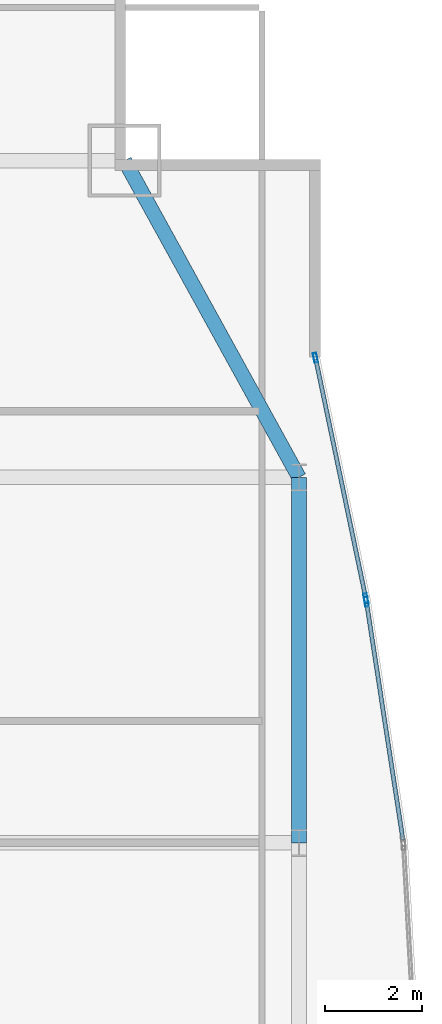
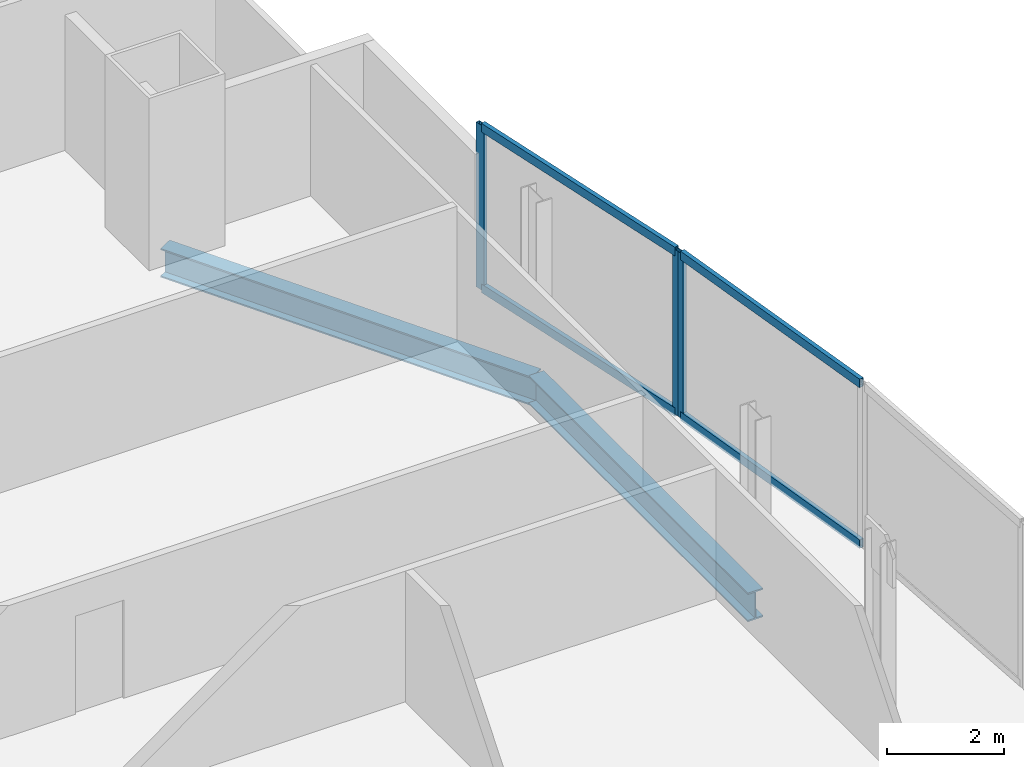
# One storey, part 23 of 33: 7 members, 2 beams, 2 elements without a shape of their own.
"""IFC4 building model written with IfcOpenShell, lengths in metres."""

from ifc_helpers import new_model, si_unit, direction, frame, origin, origin_2d, place, context, subcontext, project, spatial, hollow_rectangle, i_section, extrude, material, material_profile, profile_set, type_object, element, aggregate, save


model = new_model("IFC4")

# Units and contexts
model_context = context("Model", 3, precision=1e-05, world=origin(), true_north=direction((0.0, 1.0)))
body_context = subcontext(model_context, "Body", "Model", "MODEL_VIEW")
ifc_project = project(units=[si_unit("LENGTHUNIT", "METRE"), si_unit("AREAUNIT", "SQUARE_METRE"), si_unit("VOLUMEUNIT", "CUBIC_METRE"), si_unit("PLANEANGLEUNIT", "RADIAN"), si_unit("MASSUNIT", "GRAM", prefix="KILO")], contexts=[model_context])

# Site, building, storey
site_placement = place(None, origin())
site = spatial("IfcSite", under=ifc_project, at=site_placement, CompositionType="ELEMENT")
building_placement = place(site_placement, origin())
building = spatial("IfcBuilding", under=site, at=building_placement, Name="Khoronbel Lancet Exchange", CompositionType="ELEMENT")
storey_placement = place(building_placement, frame((0.0, 0.0, 114.60009765625)))
storey = spatial("IfcBuildingStorey", under=building, at=storey_placement, Name="L27", CompositionType="ELEMENT", Elevation=114.60009765625)

# Beams
ifc_material_1 = material(Name="Steel S355", Category="steel")
ifc_material_profile_1 = material_profile(ifc_material_1, i_section(OverallWidth=0.300048828125, OverallDepth=0.60009765625, WebThickness=0.015380859375, FlangeThickness=0.030029296875, at=origin_2d()), Name="HEB 600")
ifc_profile_set_1 = profile_set([ifc_material_profile_1], Name="Steel S355")
beam_type = type_object("IfcBeamType", Name="BM-BSP2", PredefinedType="SPANDREL", material=ifc_profile_set_1)
beam_1_placement = place(storey_placement, frame((69.6298828125, 35.699951171875, -0.460205078125), z_axis=(0.0, 1.0, 0.0), x_axis=(-1.0, 0.0, 0.0)))
element("IfcBeam", 1, at=beam_1_placement, inside=storey, type_object=beam_type, Name="Level L27 perimeter spandrel beam SP14", PredefinedType="SPANDREL", context=body_context, shape_type="SweptSolid", body=[
    extrude(i_section(OverallWidth=0.300048828125, OverallDepth=0.60009765625, WebThickness=0.015380859375, FlangeThickness=0.030029296875, at=origin_2d()), origin(), (0.0, 0.0, 1.0), 7.5),
])
beam_2_placement = place(storey_placement, frame((69.6298828125, 43.199951171875, -0.460205078125), z_axis=(-0.482418808117, 0.875940690672, 0.0), x_axis=(-0.875940690672, -0.482418808117, 0.0)))
element("IfcBeam", 2, at=beam_2_placement, inside=storey, type_object=beam_type, Name="Level L27 perimeter spandrel beam SP15", PredefinedType="SPANDREL", context=body_context, shape_type="SweptSolid", body=[
    extrude(i_section(OverallWidth=0.300048828125, OverallDepth=0.60009765625, WebThickness=0.015380859375, FlangeThickness=0.030029296875, at=origin_2d()), origin(), (0.0, 0.0, 1.0), 7.420654296875),
])

# Curtain wall, members
ifc_material_2 = material(Name="Low-E Solar Control Insulating Glass", Category="glass")
curtain_wall_type = type_object("IfcCurtainWallType", Name="CW-4", PredefinedType="NOTDEFINED", material=ifc_material_2)
curtain_wall_1_placement = place(storey_placement, origin())
curtain_wall_1 = element("IfcCurtainWall", 3, at=curtain_wall_1_placement, inside=storey, type_object=curtain_wall_type, Name="Unitised curtain wall CW-L27-E17", PredefinedType="NOTDEFINED")
ifc_material_3 = material(Name="Bronze-Anodised Aluminium 6063-T6", Category="aluminium")
ifc_material_profile_2 = material_profile(ifc_material_3, hollow_rectangle(XDim=0.074951171875, YDim=0.199951171875, WallThickness=0.0048828125, at=origin_2d()), Name="ALU MULLION 75x200")
ifc_profile_set_2 = profile_set([ifc_material_profile_2], Name="Bronze-Anodised Aluminium 6063-T6")
member_type_1 = type_object("IfcMemberType", Name="MEM-CWM2", PredefinedType="MULLION", material=ifc_profile_set_2)
member_1_placement = place(storey_placement, frame((69.9677734375, 45.654052734375, 0.0), z_axis=(0.0, 0.0, 1.0), x_axis=(0.978780231613, 0.204912806344, 0.0)))
member_1 = element("IfcMember", 4, at=member_1_placement, type_object=member_type_1, Name="CW4 mullion 1", PredefinedType="MULLION", context=body_context, shape_type="SweptSolid", body=[
    extrude(hollow_rectangle(XDim=0.074951171875, YDim=0.199951171875, WallThickness=0.0048828125, at=origin_2d()), origin(), (0.0, 0.0, 1.0), 3.43994140625),
])
member_2_placement = place(storey_placement, frame((71.00048828125, 40.720703125, 0.0), z_axis=(0.0, 0.0, 1.0), x_axis=(0.978780231613, 0.204912806344, 0.0)))
member_2 = element("IfcMember", 5, at=member_2_placement, type_object=member_type_1, Name="CW4 mullion 2", PredefinedType="MULLION", context=body_context, shape_type="SweptSolid", body=[
    extrude(hollow_rectangle(XDim=0.074951171875, YDim=0.199951171875, WallThickness=0.0048828125, at=origin_2d()), origin(), (0.0, 0.0, 1.0), 3.43994140625),
])

# Curtain wall, member
curtain_wall_2_placement = place(storey_placement, origin())
curtain_wall_2 = element("IfcCurtainWall", 6, at=curtain_wall_2_placement, inside=storey, type_object=curtain_wall_type, Name="Unitised curtain wall CW-L27-E18", PredefinedType="NOTDEFINED")
member_3_placement = place(storey_placement, frame((71.013916015625, 40.646728515625, 0.0), z_axis=(0.0, 0.0, 1.0), x_axis=(0.988454851149, 0.151515699646, 0.0)))
member_3 = element("IfcMember", 7, at=member_3_placement, type_object=member_type_1, Name="CW4 mullion 1", PredefinedType="MULLION", context=body_context, shape_type="SweptSolid", body=[
    extrude(hollow_rectangle(XDim=0.074951171875, YDim=0.199951171875, WallThickness=0.0048828125, at=origin_2d()), origin(), (0.0, 0.0, 1.0), 3.43994140625),
])

# Member
ifc_material_profile_3 = material_profile(ifc_material_3, hollow_rectangle(XDim=0.0849609375, YDim=0.179931640625, WallThickness=0.0048828125, at=origin_2d()), Name="ALU TRANSOM 85x180")
ifc_profile_set_3 = profile_set([ifc_material_profile_3], Name="Bronze-Anodised Aluminium 6063-T6")
member_type_2 = type_object("IfcMemberType", Name="MEM-CWT1", PredefinedType="USERDEFINED", material=ifc_profile_set_3)
member_4_placement = place(storey_placement, frame((69.975341796875, 45.6171875, 0.04248046875), z_axis=(0.204939838042, -0.978774571995, 0.0), x_axis=(0.978774571995, 0.204939838042, 0.0)))
member_4 = element("IfcMember", 8, at=member_4_placement, type_object=member_type_2, Name="CW4 transom 1.1", ObjectType="TRANSOM", PredefinedType="USERDEFINED", context=body_context, shape_type="SweptSolid", body=[
    extrude(hollow_rectangle(XDim=0.0849609375, YDim=0.179931640625, WallThickness=0.0048828125, at=origin_2d()), origin(), (0.0, 0.0, 1.0), 4.96533203125),
])

member_5_placement = place(storey_placement, frame((69.975341796875, 45.6171875, 3.3974609375), z_axis=(0.204939838042, -0.978774571995, 0.0), x_axis=(0.978774571995, 0.204939838042, 0.0)))
member_5 = element("IfcMember", 9, at=member_5_placement, type_object=member_type_2, Name="CW4 transom 1.2", ObjectType="TRANSOM", PredefinedType="USERDEFINED", context=body_context, shape_type="SweptSolid", body=[
    extrude(hollow_rectangle(XDim=0.0849609375, YDim=0.179931640625, WallThickness=0.0048828125, at=origin_2d()), origin(), (0.0, 0.0, 1.0), 4.96533203125),
])

aggregate(curtain_wall_1, [member_1, member_2, member_4, member_5])

member_6_placement = place(storey_placement, frame((71.01953125, 40.60986328125, 0.04248046875), z_axis=(0.151510731324, -0.988455612708, 0.0), x_axis=(0.988455612708, 0.151510731324, 0.0)))
member_6 = element("IfcMember", 10, at=member_6_placement, type_object=member_type_2, Name="CW4 transom 1.1", ObjectType="TRANSOM", PredefinedType="USERDEFINED", context=body_context, shape_type="SweptSolid", body=[
    extrude(hollow_rectangle(XDim=0.0849609375, YDim=0.179931640625, WallThickness=0.0048828125, at=origin_2d()), origin(), (0.0, 0.0, 1.0), 4.90185546875),
])

member_7_placement = place(storey_placement, frame((71.01953125, 40.60986328125, 3.3974609375), z_axis=(0.151510731324, -0.988455612708, 0.0), x_axis=(0.988455612708, 0.151510731324, 0.0)))
member_7 = element("IfcMember", 11, at=member_7_placement, type_object=member_type_2, Name="CW4 transom 1.2", ObjectType="TRANSOM", PredefinedType="USERDEFINED", context=body_context, shape_type="SweptSolid", body=[
    extrude(hollow_rectangle(XDim=0.0849609375, YDim=0.179931640625, WallThickness=0.0048828125, at=origin_2d()), origin(), (0.0, 0.0, 1.0), 4.90185546875),
])

aggregate(curtain_wall_2, [member_3, member_6, member_7])

save(model, "model.ifc")
